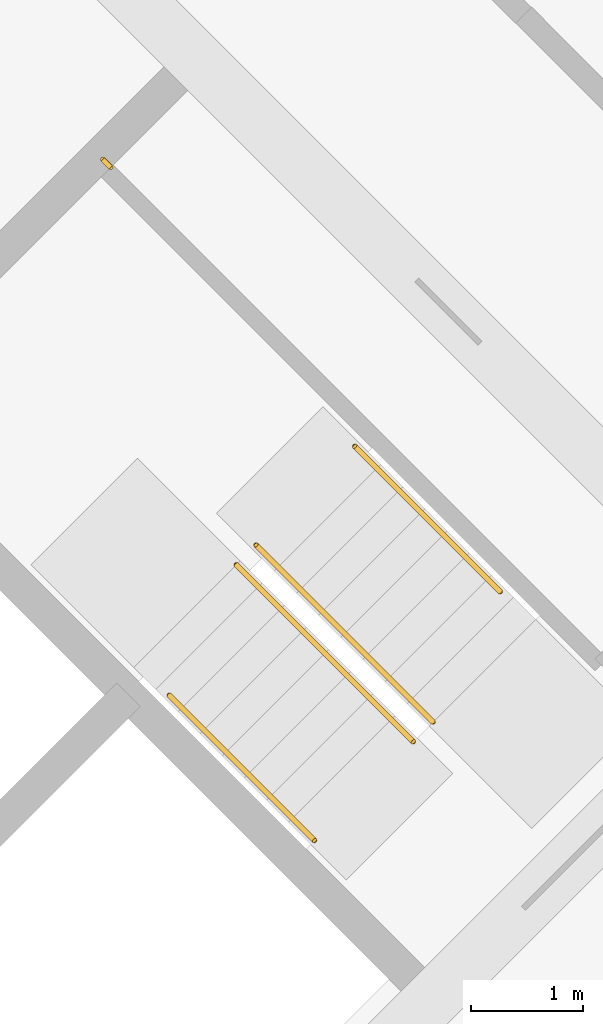
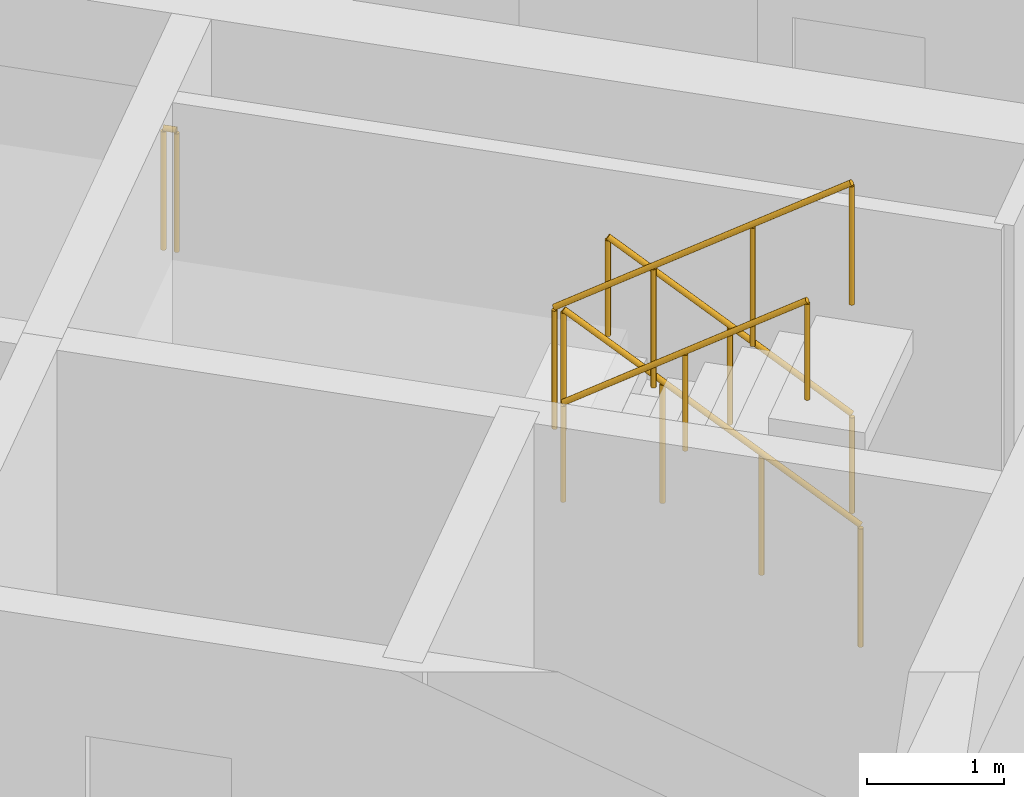
# One storey, part 13 of 13: 5 railings.
"""IFC4 building model written with IfcOpenShell, lengths in metres."""

from ifc_helpers import new_model, si_unit, direction, frame, origin, origin_2d, place, context, subcontext, project, spatial, circle, extrude, material, type_object, element, save


model = new_model("IFC4")

# Units and contexts
model_context = context("Model", 3, precision=1e-05, world=origin(), true_north=direction((0.0, 1.0)))
body_context = subcontext(model_context, "Body", "Model", "MODEL_VIEW")
ifc_project = project(units=[si_unit("LENGTHUNIT", "METRE"), si_unit("AREAUNIT", "SQUARE_METRE"), si_unit("VOLUMEUNIT", "CUBIC_METRE"), si_unit("PLANEANGLEUNIT", "RADIAN"), si_unit("MASSUNIT", "GRAM", prefix="KILO")], contexts=[model_context])

# Site, building, storey
site_placement = place(None, origin())
site = spatial("IfcSite", under=ifc_project, at=site_placement, CompositionType="ELEMENT")
building_placement = place(site_placement, origin())
building = spatial("IfcBuilding", under=site, at=building_placement, Name="Windrow Commons", CompositionType="ELEMENT")
storey_placement = place(building_placement, frame((0.0, 0.0, 220.2)))
storey = spatial("IfcBuildingStorey", under=building, at=storey_placement, Name="L60", CompositionType="ELEMENT", Elevation=220.2)

# Railings
ifc_material_1 = material(Name="Steel S355", Category="steel")
railing_type_1 = type_object("IfcRailingType", Name="Core stair guard 1100", PredefinedType="GUARDRAIL", material=ifc_material_1)
railing_1_placement = place(storey_placement, frame((94.2296, 48.4215, 0.1889)))
element("IfcRailing", 1, at=railing_1_placement, inside=storey, type_object=railing_type_1, Name="L60 ST-B2 stair guard 1", PredefinedType="GUARDRAIL", context=body_context, shape_type="SweptSolid", body=[
    extrude(circle(Radius=0.024, at=origin_2d()), frame((0.0, 0.0, 1.076), z_axis=(-0.5862157828, 0.5861787742, 0.5592365337), x_axis=(-0.7070844598, -0.7071291018, 0.0)), (0.0, 0.0, 1.0), 2.7021),
    extrude(circle(Radius=0.021, at=origin_2d()), origin(), (0.0, 0.0, 1.0), 1.052),
    extrude(circle(Radius=0.021, at=origin_2d()), frame((-0.528, 0.528, 0.5037)), (0.0, 0.0, 1.0), 1.052),
    extrude(circle(Radius=0.021, at=origin_2d()), frame((-1.056, 1.0559, 1.0074)), (0.0, 0.0, 1.0), 1.052),
    extrude(circle(Radius=0.021, at=origin_2d()), frame((-1.584, 1.5839, 1.5111)), (0.0, 0.0, 1.0), 1.052),
])
railing_2_placement = place(storey_placement, frame((92.4689, 49.8287, 1.8889)))
element("IfcRailing", 2, at=railing_2_placement, inside=storey, type_object=railing_type_1, Name="L60 ST-B2 stair guard 2", PredefinedType="GUARDRAIL", context=body_context, shape_type="SweptSolid", body=[
    extrude(circle(Radius=0.024, at=origin_2d()), frame((0.0, 0.0, 1.076), z_axis=(0.5861787742, -0.5862157828, 0.5592365337), x_axis=(0.7071291018, 0.7070844598, 0.0)), (0.0, 0.0, 1.0), 2.7021),
    extrude(circle(Radius=0.021, at=origin_2d()), origin(), (0.0, 0.0, 1.0), 1.052),
    extrude(circle(Radius=0.021, at=origin_2d()), frame((0.528, -0.528, 0.5037)), (0.0, 0.0, 1.0), 1.052),
    extrude(circle(Radius=0.021, at=origin_2d()), frame((1.0559, -1.056, 1.0074)), (0.0, 0.0, 1.0), 1.052),
    extrude(circle(Radius=0.021, at=origin_2d()), frame((1.5839, -1.584, 1.5111)), (0.0, 0.0, 1.0), 1.052),
])
railing_3_placement = place(storey_placement, frame((91.3446, 53.3854, 1.7)))
element("IfcRailing", 3, at=railing_3_placement, inside=storey, type_object=railing_type_1, Name="L60 ST-B2 stair guard 3", PredefinedType="GUARDRAIL", context=body_context, shape_type="SweptSolid", body=[
    extrude(circle(Radius=0.024, at=origin_2d()), frame((0.0, 0.0, 1.076), z_axis=(-0.7076063266, 0.7066068826, 0.0), x_axis=(-0.7066068826, -0.7076063266, 0.0)), (0.0, 0.0, 1.0), 0.1001),
    extrude(circle(Radius=0.021, at=origin_2d()), origin(), (0.0, 0.0, 1.0), 1.052),
    extrude(circle(Radius=0.021, at=origin_2d()), frame((-0.0708, 0.0707, 0.0)), (0.0, 0.0, 1.0), 1.052),
])
ifc_material_2 = material(Name="Steel S355", Category="steel")
railing_type_2 = type_object("IfcRailingType", Name="Core stair handrail 900", PredefinedType="HANDRAIL", material=ifc_material_2)
railing_4_placement = place(storey_placement, frame((94.8306, 49.5883, 0.4587)))
element("IfcRailing", 4, at=railing_4_placement, inside=storey, type_object=railing_type_2, Name="L60 ST-B2 stair handrail 1", PredefinedType="HANDRAIL", context=body_context, shape_type="SweptSolid", body=[
    extrude(circle(Radius=0.024, at=origin_2d()), frame((0.0, 0.0, 0.876), z_axis=(-0.586206706, 0.5861616513, 0.5592639952), x_axis=(-0.7070796062, -0.7071339551, 0.0)), (0.0, 0.0, 1.0), 2.2195),
    extrude(circle(Radius=0.021, at=origin_2d()), origin(), (0.0, 0.0, 1.0), 0.852),
    extrude(circle(Radius=0.021, at=origin_2d()), frame((-0.6506, 0.6505, 0.6206)), (0.0, 0.0, 1.0), 0.852),
    extrude(circle(Radius=0.021, at=origin_2d()), frame((-1.3011, 1.301, 1.2413)), (0.0, 0.0, 1.0), 0.852),
])
railing_5_placement = place(storey_placement, frame((91.8678, 48.6619, 2.1587)))
element("IfcRailing", 5, at=railing_5_placement, inside=storey, type_object=railing_type_2, Name="L60 ST-B2 stair handrail 2", PredefinedType="HANDRAIL", context=body_context, shape_type="SweptSolid", body=[
    extrude(circle(Radius=0.024, at=origin_2d()), frame((0.0, 0.0, 0.876), z_axis=(0.586206706, -0.5861616513, 0.5592639952), x_axis=(0.7070796062, 0.7071339551, 0.0)), (0.0, 0.0, 1.0), 2.2195),
    extrude(circle(Radius=0.021, at=origin_2d()), origin(), (0.0, 0.0, 1.0), 0.852),
    extrude(circle(Radius=0.021, at=origin_2d()), frame((0.6505, -0.6505, 0.6206)), (0.0, 0.0, 1.0), 0.852),
    extrude(circle(Radius=0.021, at=origin_2d()), frame((1.3011, -1.301, 1.2413)), (0.0, 0.0, 1.0), 0.852),
])

save(model, "model.ifc")
